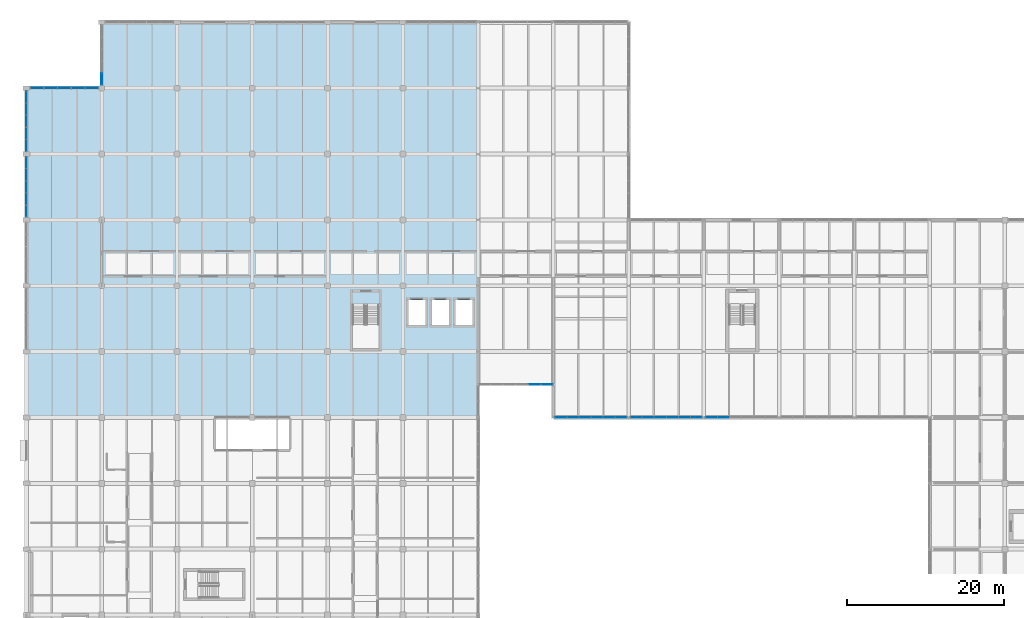
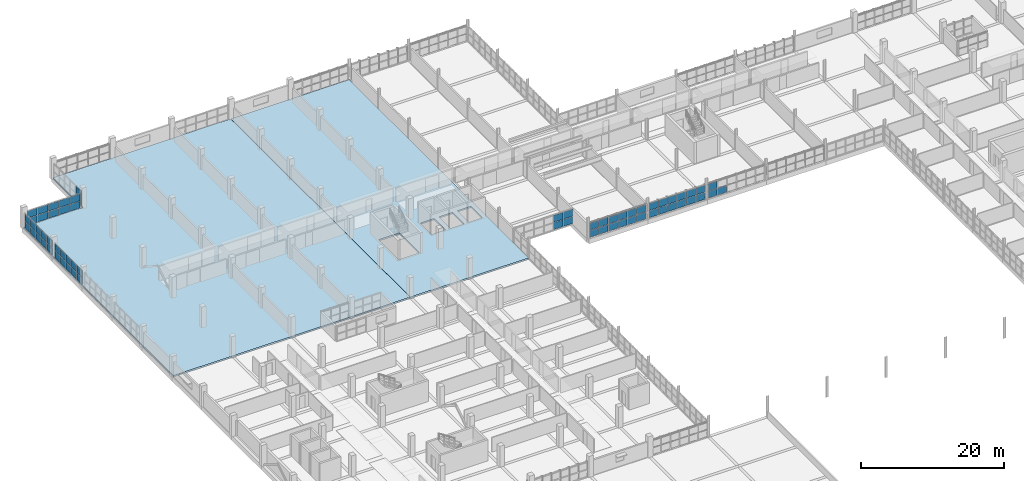
# One storey, part 95 of 147: 63 plates, 2 slabs, 8 elements without a shape of their own.
"""IFC4 building model written with IfcOpenShell, lengths in metres."""

from ifc_helpers import new_model, si_unit, direction, frame, origin, origin_2d, place, context, subcontext, project, spatial, polyline, rectangle, outline, extrude, material, layer, layer_set, type_object, element, aggregate, save


model = new_model("IFC4")

# Units and contexts
model_context = context("Model", 3, precision=1e-05, world=origin(), true_north=direction((0.0, 1.0)))
body_context = subcontext(model_context, "Body", "Model", "MODEL_VIEW")
ifc_project = project(units=[si_unit("LENGTHUNIT", "METRE"), si_unit("AREAUNIT", "SQUARE_METRE"), si_unit("VOLUMEUNIT", "CUBIC_METRE"), si_unit("PLANEANGLEUNIT", "RADIAN"), si_unit("MASSUNIT", "GRAM", prefix="KILO")], contexts=[model_context])

# Site, building, storey
site_placement = place(None, origin())
site = spatial("IfcSite", under=ifc_project, at=site_placement, CompositionType="ELEMENT")
building_placement = place(site_placement, origin())
building = spatial("IfcBuilding", under=site, at=building_placement, Name="Oolite Switchyard Hospital", CompositionType="ELEMENT")
storey_placement = place(building_placement, frame((0.0, 0.0, 9.89990234375)))
storey = spatial("IfcBuildingStorey", under=building, at=storey_placement, Name="L02", CompositionType="ELEMENT", Elevation=9.89990234375)

# Curtain wall, plates
ifc_material_1 = material(Name="Thermally broken aluminum frame with laminated impact glazing", Category="aluminium")
curtain_wall_type_1 = type_object("IfcCurtainWallType", Name="CW-UNIT-96X36", PredefinedType="USERDEFINED", material=ifc_material_1)
curtain_wall_1_placement = place(storey_placement, origin())
curtain_wall_1 = element("IfcCurtainWall", 1, at=curtain_wall_1_placement, inside=storey, type_object=curtain_wall_type_1, Name="L02 Unitised Curtain Wall 253", ObjectType="UNITISED", PredefinedType="USERDEFINED")
ifc_material_2 = material(Name="Insulated fluoropolymer-coated aluminum spandrel panel", Category="aluminium")
ifc_layer_1 = layer(ifc_material_2, 0.054931640625)
ifc_layer_set_1 = layer_set([ifc_layer_1], Name="CW-PNL-SPN55")
plate_type_1 = type_object("IfcPlateType", Name="CW-PNL-SPN55", PredefinedType="CURTAIN_PANEL", material=ifc_layer_set_1)
plate_1_placement = place(storey_placement, frame((85.424072265625, 84.0, 0.0751953125), z_axis=(0.0, 0.0, 1.0), x_axis=(-1.0, 0.0, 0.0)))
plate_1 = element("IfcPlate", 2, at=plate_1_placement, type_object=plate_type_1, Name="CW-03 panel 1.1", PredefinedType="CURTAIN_PANEL", context=body_context, shape_type="SweptSolid", body=[
    extrude(rectangle(XDim=1.445556640625, YDim=0.054931640625, at=origin_2d()), origin(), (0.0, 0.0, 1.0), 1.172607421875),
])
plate_2_placement = place(storey_placement, frame((85.424072265625, 84.0, 1.32275390625), z_axis=(0.0, 0.0, 1.0), x_axis=(-1.0, 0.0, 0.0)))
plate_2 = element("IfcPlate", 3, at=plate_2_placement, type_object=plate_type_1, Name="CW-03 panel 1.2", PredefinedType="CURTAIN_PANEL", context=body_context, shape_type="SweptSolid", body=[
    extrude(rectangle(XDim=1.445556640625, YDim=0.054931640625, at=origin_2d()), origin(), (0.0, 0.0, 1.0), 1.172607421875),
])
plate_3_placement = place(storey_placement, frame((83.903564453125, 84.0, 0.0751953125), z_axis=(0.0, 0.0, 1.0), x_axis=(-1.0, 0.0, 0.0)))
plate_3 = element("IfcPlate", 4, at=plate_3_placement, type_object=plate_type_1, Name="CW-03 panel 2.1", PredefinedType="CURTAIN_PANEL", context=body_context, shape_type="SweptSolid", body=[
    extrude(rectangle(XDim=1.4755859375, YDim=0.054931640625, at=origin_2d()), origin(), (0.0, 0.0, 1.0), 1.172607421875),
])
plate_4_placement = place(storey_placement, frame((83.903564453125, 84.0, 1.32275390625), z_axis=(0.0, 0.0, 1.0), x_axis=(-1.0, 0.0, 0.0)))
plate_4 = element("IfcPlate", 5, at=plate_4_placement, type_object=plate_type_1, Name="CW-03 panel 2.2", PredefinedType="CURTAIN_PANEL", context=body_context, shape_type="SweptSolid", body=[
    extrude(rectangle(XDim=1.4755859375, YDim=0.054931640625, at=origin_2d()), origin(), (0.0, 0.0, 1.0), 1.172607421875),
])
plate_5_placement = place(storey_placement, frame((82.367919921875, 84.0, 0.0751953125), z_axis=(0.0, 0.0, 1.0), x_axis=(-1.0, 0.0, 0.0)))
plate_5 = element("IfcPlate", 6, at=plate_5_placement, type_object=plate_type_1, Name="CW-03 panel 3.1", PredefinedType="CURTAIN_PANEL", context=body_context, shape_type="SweptSolid", body=[
    extrude(rectangle(XDim=1.4755859375, YDim=0.054931640625, at=origin_2d()), origin(), (0.0, 0.0, 1.0), 1.172607421875),
])
plate_6_placement = place(storey_placement, frame((82.367919921875, 84.0, 1.32275390625), z_axis=(0.0, 0.0, 1.0), x_axis=(-1.0, 0.0, 0.0)))
plate_6 = element("IfcPlate", 7, at=plate_6_placement, type_object=plate_type_1, Name="CW-03 panel 3.2", PredefinedType="CURTAIN_PANEL", context=body_context, shape_type="SweptSolid", body=[
    extrude(rectangle(XDim=1.4755859375, YDim=0.054931640625, at=origin_2d()), origin(), (0.0, 0.0, 1.0), 1.172607421875),
])
plate_7_placement = place(storey_placement, frame((80.832275390625, 84.0, 0.0751953125), z_axis=(0.0, 0.0, 1.0), x_axis=(-1.0, 0.0, 0.0)))
plate_7 = element("IfcPlate", 8, at=plate_7_placement, type_object=plate_type_1, Name="CW-03 panel 4.1", PredefinedType="CURTAIN_PANEL", context=body_context, shape_type="SweptSolid", body=[
    extrude(rectangle(XDim=1.4755859375, YDim=0.054931640625, at=origin_2d()), origin(), (0.0, 0.0, 1.0), 1.172607421875),
])
plate_8_placement = place(storey_placement, frame((80.832275390625, 84.0, 1.32275390625), z_axis=(0.0, 0.0, 1.0), x_axis=(-1.0, 0.0, 0.0)))
plate_8 = element("IfcPlate", 9, at=plate_8_placement, type_object=plate_type_1, Name="CW-03 panel 4.2", PredefinedType="CURTAIN_PANEL", context=body_context, shape_type="SweptSolid", body=[
    extrude(rectangle(XDim=1.4755859375, YDim=0.054931640625, at=origin_2d()), origin(), (0.0, 0.0, 1.0), 1.172607421875),
])
plate_9_placement = place(storey_placement, frame((79.29638671875, 84.0, 0.0751953125), z_axis=(0.0, 0.0, 1.0), x_axis=(-1.0, 0.0, 0.0)))
plate_9 = element("IfcPlate", 10, at=plate_9_placement, type_object=plate_type_1, Name="CW-03 panel 5.1", PredefinedType="CURTAIN_PANEL", context=body_context, shape_type="SweptSolid", body=[
    extrude(rectangle(XDim=1.4755859375, YDim=0.054931640625, at=origin_2d()), origin(), (0.0, 0.0, 1.0), 1.172607421875),
])
plate_10_placement = place(storey_placement, frame((79.29638671875, 84.0, 1.32275390625), z_axis=(0.0, 0.0, 1.0), x_axis=(-1.0, 0.0, 0.0)))
plate_10 = element("IfcPlate", 11, at=plate_10_placement, type_object=plate_type_1, Name="CW-03 panel 5.2", PredefinedType="CURTAIN_PANEL", context=body_context, shape_type="SweptSolid", body=[
    extrude(rectangle(XDim=1.4755859375, YDim=0.054931640625, at=origin_2d()), origin(), (0.0, 0.0, 1.0), 1.172607421875),
])
plate_11_placement = place(storey_placement, frame((77.77587890625, 84.0, 0.0751953125), z_axis=(0.0, 0.0, 1.0), x_axis=(-1.0, 0.0, 0.0)))
plate_11 = element("IfcPlate", 12, at=plate_11_placement, type_object=plate_type_1, Name="CW-03 panel 6.1", PredefinedType="CURTAIN_PANEL", context=body_context, shape_type="SweptSolid", body=[
    extrude(rectangle(XDim=1.445556640625, YDim=0.054931640625, at=origin_2d()), origin(), (0.0, 0.0, 1.0), 1.172607421875),
])
plate_12_placement = place(storey_placement, frame((77.77587890625, 84.0, 1.32275390625), z_axis=(0.0, 0.0, 1.0), x_axis=(-1.0, 0.0, 0.0)))
plate_12 = element("IfcPlate", 13, at=plate_12_placement, type_object=plate_type_1, Name="CW-03 panel 6.2", PredefinedType="CURTAIN_PANEL", context=body_context, shape_type="SweptSolid", body=[
    extrude(rectangle(XDim=1.445556640625, YDim=0.054931640625, at=origin_2d()), origin(), (0.0, 0.0, 1.0), 1.172607421875),
])
aggregate(curtain_wall_1, [plate_1, plate_2, plate_3, plate_4, plate_5, plate_6, plate_7, plate_8, plate_9, plate_10, plate_11, plate_12])

curtain_wall_2_placement = place(storey_placement, origin())
curtain_wall_2 = element("IfcCurtainWall", 14, at=curtain_wall_2_placement, inside=storey, type_object=curtain_wall_type_1, Name="L02 Unitised Curtain Wall 267", ObjectType="UNITISED", PredefinedType="USERDEFINED")
plate_13_placement = place(storey_placement, frame((1.335693359375, 126.0, 0.0751953125), z_axis=(0.0, 0.0, 1.0), x_axis=(1.0, 0.0, 0.0)))
plate_13 = element("IfcPlate", 15, at=plate_13_placement, type_object=plate_type_1, Name="CW-03 panel 1.1", PredefinedType="CURTAIN_PANEL", context=body_context, shape_type="SweptSolid", body=[
    extrude(rectangle(XDim=1.6416015625, YDim=0.054931640625, at=origin_2d()), origin(), (0.0, 0.0, 1.0), 1.172607421875),
])
plate_14_placement = place(storey_placement, frame((1.335693359375, 126.0, 1.32275390625), z_axis=(0.0, 0.0, 1.0), x_axis=(1.0, 0.0, 0.0)))
plate_14 = element("IfcPlate", 16, at=plate_14_placement, type_object=plate_type_1, Name="CW-03 panel 1.2", PredefinedType="CURTAIN_PANEL", context=body_context, shape_type="SweptSolid", body=[
    extrude(rectangle(XDim=1.6416015625, YDim=0.054931640625, at=origin_2d()), origin(), (0.0, 0.0, 1.0), 1.172607421875),
])
plate_15_placement = place(storey_placement, frame((3.071044921875, 126.0, 0.0751953125), z_axis=(0.0, 0.0, 1.0), x_axis=(1.0, 0.0, 0.0)))
plate_15 = element("IfcPlate", 17, at=plate_15_placement, type_object=plate_type_1, Name="CW-03 panel 2.1", PredefinedType="CURTAIN_PANEL", context=body_context, shape_type="SweptSolid", body=[
    extrude(rectangle(XDim=1.678955078125, YDim=0.054931640625, at=origin_2d()), origin(), (0.0, 0.0, 1.0), 1.172607421875),
])
plate_16_placement = place(storey_placement, frame((3.071044921875, 126.0, 1.32275390625), z_axis=(0.0, 0.0, 1.0), x_axis=(1.0, 0.0, 0.0)))
plate_16 = element("IfcPlate", 18, at=plate_16_placement, type_object=plate_type_1, Name="CW-03 panel 2.2", PredefinedType="CURTAIN_PANEL", context=body_context, shape_type="SweptSolid", body=[
    extrude(rectangle(XDim=1.678955078125, YDim=0.054931640625, at=origin_2d()), origin(), (0.0, 0.0, 1.0), 1.172607421875),
])
plate_17_placement = place(storey_placement, frame((4.824951171875, 126.0, 0.0751953125), z_axis=(0.0, 0.0, 1.0), x_axis=(1.0, 0.0, 0.0)))
plate_17 = element("IfcPlate", 19, at=plate_17_placement, type_object=plate_type_1, Name="CW-03 panel 3.1", PredefinedType="CURTAIN_PANEL", context=body_context, shape_type="SweptSolid", body=[
    extrude(rectangle(XDim=1.678955078125, YDim=0.054931640625, at=origin_2d()), origin(), (0.0, 0.0, 1.0), 1.172607421875),
])
plate_18_placement = place(storey_placement, frame((4.824951171875, 126.0, 1.32275390625), z_axis=(0.0, 0.0, 1.0), x_axis=(1.0, 0.0, 0.0)))
plate_18 = element("IfcPlate", 20, at=plate_18_placement, type_object=plate_type_1, Name="CW-03 panel 3.2", PredefinedType="CURTAIN_PANEL", context=body_context, shape_type="SweptSolid", body=[
    extrude(rectangle(XDim=1.678955078125, YDim=0.054931640625, at=origin_2d()), origin(), (0.0, 0.0, 1.0), 1.172607421875),
])
plate_19_placement = place(storey_placement, frame((6.5791015625, 126.0, 0.0751953125), z_axis=(0.0, 0.0, 1.0), x_axis=(1.0, 0.0, 0.0)))
plate_19 = element("IfcPlate", 21, at=plate_19_placement, type_object=plate_type_1, Name="CW-03 panel 4.1", PredefinedType="CURTAIN_PANEL", context=body_context, shape_type="SweptSolid", body=[
    extrude(rectangle(XDim=1.678955078125, YDim=0.054931640625, at=origin_2d()), origin(), (0.0, 0.0, 1.0), 1.172607421875),
])
plate_20_placement = place(storey_placement, frame((6.5791015625, 126.0, 1.32275390625), z_axis=(0.0, 0.0, 1.0), x_axis=(1.0, 0.0, 0.0)))
plate_20 = element("IfcPlate", 22, at=plate_20_placement, type_object=plate_type_1, Name="CW-03 panel 4.2", PredefinedType="CURTAIN_PANEL", context=body_context, shape_type="SweptSolid", body=[
    extrude(rectangle(XDim=1.678955078125, YDim=0.054931640625, at=origin_2d()), origin(), (0.0, 0.0, 1.0), 1.172607421875),
])
plate_21_placement = place(storey_placement, frame((8.314208984375, 126.0, 0.0751953125), z_axis=(0.0, 0.0, 1.0), x_axis=(1.0, 0.0, 0.0)))
plate_21 = element("IfcPlate", 23, at=plate_21_placement, type_object=plate_type_1, Name="CW-03 panel 5.1", PredefinedType="CURTAIN_PANEL", context=body_context, shape_type="SweptSolid", body=[
    extrude(rectangle(XDim=1.6416015625, YDim=0.054931640625, at=origin_2d()), origin(), (0.0, 0.0, 1.0), 1.172607421875),
])
plate_22_placement = place(storey_placement, frame((8.314208984375, 126.0, 1.32275390625), z_axis=(0.0, 0.0, 1.0), x_axis=(1.0, 0.0, 0.0)))
plate_22 = element("IfcPlate", 24, at=plate_22_placement, type_object=plate_type_1, Name="CW-03 panel 5.2", PredefinedType="CURTAIN_PANEL", context=body_context, shape_type="SweptSolid", body=[
    extrude(rectangle(XDim=1.6416015625, YDim=0.054931640625, at=origin_2d()), origin(), (0.0, 0.0, 1.0), 1.172607421875),
])
aggregate(curtain_wall_2, [plate_13, plate_14, plate_15, plate_16, plate_17, plate_18, plate_19, plate_20, plate_21, plate_22])

curtain_wall_3_placement = place(storey_placement, origin())
curtain_wall_3 = element("IfcCurtainWall", 25, at=curtain_wall_3_placement, inside=storey, type_object=curtain_wall_type_1, Name="L02 Unitised Curtain Wall 257", ObjectType="UNITISED", PredefinedType="USERDEFINED")
ifc_layer_2 = layer(ifc_material_2, 0.070068359375)
ifc_layer_set_2 = layer_set([ifc_layer_2], Name="CW-PNL-SPN70")
plate_type_2 = type_object("IfcPlateType", Name="CW-PNL-SPN70", PredefinedType="CURTAIN_PANEL", material=ifc_layer_set_2)
plate_23_placement = place(storey_placement, frame((66.382568359375, 88.199951171875, 0.0751953125), z_axis=(0.0, 0.0, 1.0), x_axis=(-1.0, 0.0, 0.0)))
plate_23 = element("IfcPlate", 26, at=plate_23_placement, type_object=plate_type_2, Name="CW-03 panel 1.1", PredefinedType="CURTAIN_PANEL", context=body_context, shape_type="SweptSolid", body=[
    extrude(rectangle(XDim=1.4951171875, YDim=0.070068359375, at=origin_2d()), origin(), (0.0, 0.0, 1.0), 1.172607421875),
])
plate_24_placement = place(storey_placement, frame((66.382568359375, 88.199951171875, 1.32275390625), z_axis=(0.0, 0.0, 1.0), x_axis=(-1.0, 0.0, 0.0)))
plate_24 = element("IfcPlate", 27, at=plate_24_placement, type_object=plate_type_2, Name="CW-03 panel 1.2", PredefinedType="CURTAIN_PANEL", context=body_context, shape_type="SweptSolid", body=[
    extrude(rectangle(XDim=1.4951171875, YDim=0.070068359375, at=origin_2d()), origin(), (0.0, 0.0, 1.0), 1.172607421875),
])
plate_25_placement = place(storey_placement, frame((64.800048828125, 88.199951171875, 0.0751953125), z_axis=(0.0, 0.0, 1.0), x_axis=(-1.0, 0.0, 0.0)))
plate_25 = element("IfcPlate", 28, at=plate_25_placement, type_object=plate_type_2, Name="CW-03 panel 2.1", PredefinedType="CURTAIN_PANEL", context=body_context, shape_type="SweptSolid", body=[
    extrude(rectangle(XDim=1.530029296875, YDim=0.070068359375, at=origin_2d()), origin(), (0.0, 0.0, 1.0), 1.172607421875),
])
plate_26_placement = place(storey_placement, frame((64.800048828125, 88.199951171875, 1.32275390625), z_axis=(0.0, 0.0, 1.0), x_axis=(-1.0, 0.0, 0.0)))
plate_26 = element("IfcPlate", 29, at=plate_26_placement, type_object=plate_type_2, Name="CW-03 panel 2.2", PredefinedType="CURTAIN_PANEL", context=body_context, shape_type="SweptSolid", body=[
    extrude(rectangle(XDim=1.530029296875, YDim=0.070068359375, at=origin_2d()), origin(), (0.0, 0.0, 1.0), 1.172607421875),
])
aggregate(curtain_wall_3, [plate_23, plate_24, plate_25, plate_26])

curtain_wall_type_2 = type_object("IfcCurtainWallType", Name="CW-UNIT-84X36", PredefinedType="USERDEFINED", material=ifc_material_1)
curtain_wall_4_placement = place(storey_placement, origin())
curtain_wall_4 = element("IfcCurtainWall", 30, at=curtain_wall_4_placement, inside=storey, type_object=curtain_wall_type_2, Name="L02 Unitised Curtain Wall 280", ObjectType="UNITISED", PredefinedType="USERDEFINED")
plate_27_placement = place(storey_placement, frame((9.60009765625, 127.174560546875, 0.06005859375), z_axis=(0.0, 0.0, 1.0), x_axis=(0.0, 1.0, 0.0)))
plate_27 = element("IfcPlate", 31, at=plate_27_placement, type_object=plate_type_2, Name="CW-08 panel 1.1", PredefinedType="CURTAIN_PANEL", context=body_context, shape_type="SweptSolid", body=[
    extrude(rectangle(XDim=1.448974609375, YDim=0.070068359375, at=origin_2d()), origin(), (0.0, 0.0, 1.0), 1.195068359375),
])
plate_28_placement = place(storey_placement, frame((9.60009765625, 127.174560546875, 1.31494140625), z_axis=(0.0, 0.0, 1.0), x_axis=(0.0, 1.0, 0.0)))
plate_28 = element("IfcPlate", 32, at=plate_28_placement, type_object=plate_type_2, Name="CW-08 panel 1.2", PredefinedType="CURTAIN_PANEL", context=body_context, shape_type="SweptSolid", body=[
    extrude(rectangle(XDim=1.448974609375, YDim=0.070068359375, at=origin_2d()), origin(), (0.0, 0.0, 1.0), 1.195068359375),
])
aggregate(curtain_wall_4, [plate_27, plate_28])

curtain_wall_5_placement = place(storey_placement, origin())
curtain_wall_5 = element("IfcCurtainWall", 33, at=curtain_wall_5_placement, inside=storey, type_object=curtain_wall_type_1, Name="L02 Unitised Curtain Wall 254", ObjectType="UNITISED", PredefinedType="USERDEFINED")
ifc_material_3 = material(Name="Laminated hurricane-impact insulated glazing unit", Category="glass")
ifc_layer_3 = layer(ifc_material_3, 0.028076171875)
ifc_layer_set_3 = layer_set([ifc_layer_3], Name="CW-PNL-VIS28")
plate_type_3 = type_object("IfcPlateType", Name="CW-PNL-VIS28", PredefinedType="CURTAIN_PANEL", material=ifc_layer_set_3)
plate_29_placement = place(storey_placement, frame((88.896484375, 84.0, 0.06005859375), z_axis=(0.0, 0.0, 1.0), x_axis=(-1.0, 0.0, 0.0)))
plate_29 = element("IfcPlate", 34, at=plate_29_placement, type_object=plate_type_3, Name="CW-03 panel 5.1", PredefinedType="CURTAIN_PANEL", context=body_context, shape_type="SweptSolid", body=[
    extrude(rectangle(XDim=1.465576171875, YDim=0.028076171875, at=origin_2d()), origin(), (0.0, 0.0, 1.0), 1.195068359375),
])
plate_30_placement = place(storey_placement, frame((87.37841796875, 84.0, 0.06005859375), z_axis=(0.0, 0.0, 1.0), x_axis=(-1.0, 0.0, 0.0)))
plate_30 = element("IfcPlate", 35, at=plate_30_placement, type_object=plate_type_3, Name="CW-03 panel 6.1", PredefinedType="CURTAIN_PANEL", context=body_context, shape_type="SweptSolid", body=[
    extrude(rectangle(XDim=1.4306640625, YDim=0.028076171875, at=origin_2d()), origin(), (0.0, 0.0, 1.0), 1.195068359375),
])
plate_31_placement = place(storey_placement, frame((87.37841796875, 84.0, 1.31494140625), z_axis=(0.0, 0.0, 1.0), x_axis=(-1.0, 0.0, 0.0)))
plate_31 = element("IfcPlate", 36, at=plate_31_placement, type_object=plate_type_3, Name="CW-03 panel 6.2", PredefinedType="CURTAIN_PANEL", context=body_context, shape_type="SweptSolid", body=[
    extrude(rectangle(XDim=1.4306640625, YDim=0.028076171875, at=origin_2d()), origin(), (0.0, 0.0, 1.0), 1.195068359375),
])
aggregate(curtain_wall_5, [plate_29, plate_30, plate_31])

curtain_wall_6_placement = place(storey_placement, origin())
curtain_wall_6 = element("IfcCurtainWall", 37, at=curtain_wall_6_placement, inside=storey, type_object=curtain_wall_type_1, Name="L02 Unitised Curtain Wall 252", ObjectType="UNITISED", PredefinedType="USERDEFINED")
ifc_layer_4 = layer(ifc_material_3, 0.035888671875)
ifc_layer_set_4 = layer_set([ifc_layer_4], Name="CW-PNL-VIS36")
plate_type_4 = type_object("IfcPlateType", Name="CW-PNL-VIS36", PredefinedType="CURTAIN_PANEL", material=ifc_layer_set_4)
plate_32_placement = place(storey_placement, frame((75.8203125, 84.0, 0.06005859375), z_axis=(0.0, 0.0, 1.0), x_axis=(-1.0, 0.0, 0.0)))
plate_32 = element("IfcPlate", 38, at=plate_32_placement, type_object=plate_type_4, Name="CW-03 panel 1.1", PredefinedType="CURTAIN_PANEL", context=body_context, shape_type="SweptSolid", body=[
    extrude(rectangle(XDim=1.423095703125, YDim=0.035888671875, at=origin_2d()), origin(), (0.0, 0.0, 1.0), 1.195068359375),
])
plate_33_placement = place(storey_placement, frame((75.8203125, 84.0, 1.31494140625), z_axis=(0.0, 0.0, 1.0), x_axis=(-1.0, 0.0, 0.0)))
plate_33 = element("IfcPlate", 39, at=plate_33_placement, type_object=plate_type_4, Name="CW-03 panel 1.2", PredefinedType="CURTAIN_PANEL", context=body_context, shape_type="SweptSolid", body=[
    extrude(rectangle(XDim=1.423095703125, YDim=0.035888671875, at=origin_2d()), origin(), (0.0, 0.0, 1.0), 1.195068359375),
])
plate_34_placement = place(storey_placement, frame((74.303466796875, 84.0, 0.06005859375), z_axis=(0.0, 0.0, 1.0), x_axis=(-1.0, 0.0, 0.0)))
plate_34 = element("IfcPlate", 40, at=plate_34_placement, type_object=plate_type_4, Name="CW-03 panel 2.1", PredefinedType="CURTAIN_PANEL", context=body_context, shape_type="SweptSolid", body=[
    extrude(rectangle(XDim=1.460693359375, YDim=0.035888671875, at=origin_2d()), origin(), (0.0, 0.0, 1.0), 1.195068359375),
])
plate_35_placement = place(storey_placement, frame((74.303466796875, 84.0, 1.31494140625), z_axis=(0.0, 0.0, 1.0), x_axis=(-1.0, 0.0, 0.0)))
plate_35 = element("IfcPlate", 41, at=plate_35_placement, type_object=plate_type_4, Name="CW-03 panel 2.2", PredefinedType="CURTAIN_PANEL", context=body_context, shape_type="SweptSolid", body=[
    extrude(rectangle(XDim=1.460693359375, YDim=0.035888671875, at=origin_2d()), origin(), (0.0, 0.0, 1.0), 1.195068359375),
])
plate_36_placement = place(storey_placement, frame((72.767822265625, 84.0, 0.06005859375), z_axis=(0.0, 0.0, 1.0), x_axis=(-1.0, 0.0, 0.0)))
plate_36 = element("IfcPlate", 42, at=plate_36_placement, type_object=plate_type_4, Name="CW-03 panel 3.1", PredefinedType="CURTAIN_PANEL", context=body_context, shape_type="SweptSolid", body=[
    extrude(rectangle(XDim=1.460693359375, YDim=0.035888671875, at=origin_2d()), origin(), (0.0, 0.0, 1.0), 1.195068359375),
])
plate_37_placement = place(storey_placement, frame((72.767822265625, 84.0, 1.31494140625), z_axis=(0.0, 0.0, 1.0), x_axis=(-1.0, 0.0, 0.0)))
plate_37 = element("IfcPlate", 43, at=plate_37_placement, type_object=plate_type_4, Name="CW-03 panel 3.2", PredefinedType="CURTAIN_PANEL", context=body_context, shape_type="SweptSolid", body=[
    extrude(rectangle(XDim=1.460693359375, YDim=0.035888671875, at=origin_2d()), origin(), (0.0, 0.0, 1.0), 1.195068359375),
])
plate_38_placement = place(storey_placement, frame((71.232177734375, 84.0, 0.06005859375), z_axis=(0.0, 0.0, 1.0), x_axis=(-1.0, 0.0, 0.0)))
plate_38 = element("IfcPlate", 44, at=plate_38_placement, type_object=plate_type_4, Name="CW-03 panel 4.1", PredefinedType="CURTAIN_PANEL", context=body_context, shape_type="SweptSolid", body=[
    extrude(rectangle(XDim=1.460693359375, YDim=0.035888671875, at=origin_2d()), origin(), (0.0, 0.0, 1.0), 1.195068359375),
])
plate_39_placement = place(storey_placement, frame((71.232177734375, 84.0, 1.31494140625), z_axis=(0.0, 0.0, 1.0), x_axis=(-1.0, 0.0, 0.0)))
plate_39 = element("IfcPlate", 45, at=plate_39_placement, type_object=plate_type_4, Name="CW-03 panel 4.2", PredefinedType="CURTAIN_PANEL", context=body_context, shape_type="SweptSolid", body=[
    extrude(rectangle(XDim=1.460693359375, YDim=0.035888671875, at=origin_2d()), origin(), (0.0, 0.0, 1.0), 1.195068359375),
])
plate_40_placement = place(storey_placement, frame((69.696533203125, 84.0, 0.06005859375), z_axis=(0.0, 0.0, 1.0), x_axis=(-1.0, 0.0, 0.0)))
plate_40 = element("IfcPlate", 46, at=plate_40_placement, type_object=plate_type_4, Name="CW-03 panel 5.1", PredefinedType="CURTAIN_PANEL", context=body_context, shape_type="SweptSolid", body=[
    extrude(rectangle(XDim=1.460693359375, YDim=0.035888671875, at=origin_2d()), origin(), (0.0, 0.0, 1.0), 1.195068359375),
])
plate_41_placement = place(storey_placement, frame((69.696533203125, 84.0, 1.31494140625), z_axis=(0.0, 0.0, 1.0), x_axis=(-1.0, 0.0, 0.0)))
plate_41 = element("IfcPlate", 47, at=plate_41_placement, type_object=plate_type_4, Name="CW-03 panel 5.2", PredefinedType="CURTAIN_PANEL", context=body_context, shape_type="SweptSolid", body=[
    extrude(rectangle(XDim=1.460693359375, YDim=0.035888671875, at=origin_2d()), origin(), (0.0, 0.0, 1.0), 1.195068359375),
])
plate_42_placement = place(storey_placement, frame((68.1796875, 84.0, 0.06005859375), z_axis=(0.0, 0.0, 1.0), x_axis=(-1.0, 0.0, 0.0)))
plate_42 = element("IfcPlate", 48, at=plate_42_placement, type_object=plate_type_4, Name="CW-03 panel 6.1", PredefinedType="CURTAIN_PANEL", context=body_context, shape_type="SweptSolid", body=[
    extrude(rectangle(XDim=1.423095703125, YDim=0.035888671875, at=origin_2d()), origin(), (0.0, 0.0, 1.0), 1.195068359375),
])
plate_43_placement = place(storey_placement, frame((68.1796875, 84.0, 1.31494140625), z_axis=(0.0, 0.0, 1.0), x_axis=(-1.0, 0.0, 0.0)))
plate_43 = element("IfcPlate", 49, at=plate_43_placement, type_object=plate_type_4, Name="CW-03 panel 6.2", PredefinedType="CURTAIN_PANEL", context=body_context, shape_type="SweptSolid", body=[
    extrude(rectangle(XDim=1.423095703125, YDim=0.035888671875, at=origin_2d()), origin(), (0.0, 0.0, 1.0), 1.195068359375),
])
aggregate(curtain_wall_6, [plate_32, plate_33, plate_34, plate_35, plate_36, plate_37, plate_38, plate_39, plate_40, plate_41, plate_42, plate_43])

curtain_wall_7_placement = place(storey_placement, origin())
curtain_wall_7 = element("IfcCurtainWall", 50, at=curtain_wall_7_placement, inside=storey, type_object=curtain_wall_type_2, Name="L02 Unitised Curtain Wall 278", ObjectType="UNITISED", PredefinedType="USERDEFINED")
plate_44_placement = place(storey_placement, frame((0.0, 110.3095703125, 0.06005859375), z_axis=(0.0, 0.0, 1.0), x_axis=(0.0, 1.0, 0.0)))
plate_44 = element("IfcPlate", 51, at=plate_44_placement, type_object=plate_type_4, Name="CW-08 panel 1.1", PredefinedType="CURTAIN_PANEL", context=body_context, shape_type="SweptSolid", body=[
    extrude(rectangle(XDim=1.448974609375, YDim=0.035888671875, at=origin_2d()), origin(), (0.0, 0.0, 1.0), 1.195068359375),
])
plate_45_placement = place(storey_placement, frame((0.0, 110.3095703125, 1.31494140625), z_axis=(0.0, 0.0, 1.0), x_axis=(0.0, 1.0, 0.0)))
plate_45 = element("IfcPlate", 52, at=plate_45_placement, type_object=plate_type_4, Name="CW-08 panel 1.2", PredefinedType="CURTAIN_PANEL", context=body_context, shape_type="SweptSolid", body=[
    extrude(rectangle(XDim=1.448974609375, YDim=0.035888671875, at=origin_2d()), origin(), (0.0, 0.0, 1.0), 1.195068359375),
])
plate_46_placement = place(storey_placement, frame((0.0, 111.845947265625, 0.06005859375), z_axis=(0.0, 0.0, 1.0), x_axis=(0.0, 1.0, 0.0)))
plate_46 = element("IfcPlate", 53, at=plate_46_placement, type_object=plate_type_4, Name="CW-08 panel 2.1", PredefinedType="CURTAIN_PANEL", context=body_context, shape_type="SweptSolid", body=[
    extrude(rectangle(XDim=1.48388671875, YDim=0.035888671875, at=origin_2d()), origin(), (0.0, 0.0, 1.0), 1.195068359375),
])
plate_47_placement = place(storey_placement, frame((0.0, 111.845947265625, 1.31494140625), z_axis=(0.0, 0.0, 1.0), x_axis=(0.0, 1.0, 0.0)))
plate_47 = element("IfcPlate", 54, at=plate_47_placement, type_object=plate_type_4, Name="CW-08 panel 2.2", PredefinedType="CURTAIN_PANEL", context=body_context, shape_type="SweptSolid", body=[
    extrude(rectangle(XDim=1.48388671875, YDim=0.035888671875, at=origin_2d()), origin(), (0.0, 0.0, 1.0), 1.195068359375),
])
plate_48_placement = place(storey_placement, frame((0.0, 113.39990234375, 0.06005859375), z_axis=(0.0, 0.0, 1.0), x_axis=(0.0, 1.0, 0.0)))
plate_48 = element("IfcPlate", 55, at=plate_48_placement, type_object=plate_type_4, Name="CW-08 panel 3.1", PredefinedType="CURTAIN_PANEL", context=body_context, shape_type="SweptSolid", body=[
    extrude(rectangle(XDim=1.48388671875, YDim=0.035888671875, at=origin_2d()), origin(), (0.0, 0.0, 1.0), 1.195068359375),
])
plate_49_placement = place(storey_placement, frame((0.0, 113.39990234375, 1.31494140625), z_axis=(0.0, 0.0, 1.0), x_axis=(0.0, 1.0, 0.0)))
plate_49 = element("IfcPlate", 56, at=plate_49_placement, type_object=plate_type_4, Name="CW-08 panel 3.2", PredefinedType="CURTAIN_PANEL", context=body_context, shape_type="SweptSolid", body=[
    extrude(rectangle(XDim=1.48388671875, YDim=0.035888671875, at=origin_2d()), origin(), (0.0, 0.0, 1.0), 1.195068359375),
])
plate_50_placement = place(storey_placement, frame((0.0, 114.9541015625, 0.06005859375), z_axis=(0.0, 0.0, 1.0), x_axis=(0.0, 1.0, 0.0)))
plate_50 = element("IfcPlate", 57, at=plate_50_placement, type_object=plate_type_4, Name="CW-08 panel 4.1", PredefinedType="CURTAIN_PANEL", context=body_context, shape_type="SweptSolid", body=[
    extrude(rectangle(XDim=1.48388671875, YDim=0.035888671875, at=origin_2d()), origin(), (0.0, 0.0, 1.0), 1.195068359375),
])
plate_51_placement = place(storey_placement, frame((0.0, 114.9541015625, 1.31494140625), z_axis=(0.0, 0.0, 1.0), x_axis=(0.0, 1.0, 0.0)))
plate_51 = element("IfcPlate", 58, at=plate_51_placement, type_object=plate_type_4, Name="CW-08 panel 4.2", PredefinedType="CURTAIN_PANEL", context=body_context, shape_type="SweptSolid", body=[
    extrude(rectangle(XDim=1.48388671875, YDim=0.035888671875, at=origin_2d()), origin(), (0.0, 0.0, 1.0), 1.195068359375),
])
plate_52_placement = place(storey_placement, frame((0.0, 116.490478515625, 0.06005859375), z_axis=(0.0, 0.0, 1.0), x_axis=(0.0, 1.0, 0.0)))
plate_52 = element("IfcPlate", 59, at=plate_52_placement, type_object=plate_type_4, Name="CW-08 panel 5.1", PredefinedType="CURTAIN_PANEL", context=body_context, shape_type="SweptSolid", body=[
    extrude(rectangle(XDim=1.448974609375, YDim=0.035888671875, at=origin_2d()), origin(), (0.0, 0.0, 1.0), 1.195068359375),
])
plate_53_placement = place(storey_placement, frame((0.0, 116.490478515625, 1.31494140625), z_axis=(0.0, 0.0, 1.0), x_axis=(0.0, 1.0, 0.0)))
plate_53 = element("IfcPlate", 60, at=plate_53_placement, type_object=plate_type_4, Name="CW-08 panel 5.2", PredefinedType="CURTAIN_PANEL", context=body_context, shape_type="SweptSolid", body=[
    extrude(rectangle(XDim=1.448974609375, YDim=0.035888671875, at=origin_2d()), origin(), (0.0, 0.0, 1.0), 1.195068359375),
])
aggregate(curtain_wall_7, [plate_44, plate_45, plate_46, plate_47, plate_48, plate_49, plate_50, plate_51, plate_52, plate_53])

curtain_wall_8_placement = place(storey_placement, origin())
curtain_wall_8 = element("IfcCurtainWall", 61, at=curtain_wall_8_placement, inside=storey, type_object=curtain_wall_type_2, Name="L02 Unitised Curtain Wall 279", ObjectType="UNITISED", PredefinedType="USERDEFINED")
ifc_layer_5 = layer(ifc_material_3, 0.0419921875)
ifc_layer_set_5 = layer_set([ifc_layer_5], Name="CW-PNL-VIS42")
plate_type_5 = type_object("IfcPlateType", Name="CW-PNL-VIS42", PredefinedType="CURTAIN_PANEL", material=ifc_layer_set_5)
plate_54_placement = place(storey_placement, frame((0.0, 118.710693359375, 0.0751953125), z_axis=(0.0, 0.0, 1.0), x_axis=(0.0, 1.0, 0.0)))
plate_54 = element("IfcPlate", 62, at=plate_54_placement, type_object=plate_type_5, Name="CW-08 panel 1.1", PredefinedType="CURTAIN_PANEL", context=body_context, shape_type="SweptSolid", body=[
    extrude(rectangle(XDim=1.44140625, YDim=0.0419921875, at=origin_2d()), origin(), (0.0, 0.0, 1.0), 1.172607421875),
])
plate_55_placement = place(storey_placement, frame((0.0, 118.710693359375, 1.32275390625), z_axis=(0.0, 0.0, 1.0), x_axis=(0.0, 1.0, 0.0)))
plate_55 = element("IfcPlate", 63, at=plate_55_placement, type_object=plate_type_5, Name="CW-08 panel 1.2", PredefinedType="CURTAIN_PANEL", context=body_context, shape_type="SweptSolid", body=[
    extrude(rectangle(XDim=1.44140625, YDim=0.0419921875, at=origin_2d()), origin(), (0.0, 0.0, 1.0), 1.172607421875),
])
plate_56_placement = place(storey_placement, frame((0.0, 120.24609375, 0.0751953125), z_axis=(0.0, 0.0, 1.0), x_axis=(0.0, 1.0, 0.0)))
plate_56 = element("IfcPlate", 64, at=plate_56_placement, type_object=plate_type_5, Name="CW-08 panel 2.1", PredefinedType="CURTAIN_PANEL", context=body_context, shape_type="SweptSolid", body=[
    extrude(rectangle(XDim=1.47900390625, YDim=0.0419921875, at=origin_2d()), origin(), (0.0, 0.0, 1.0), 1.172607421875),
])
plate_57_placement = place(storey_placement, frame((0.0, 120.24609375, 1.32275390625), z_axis=(0.0, 0.0, 1.0), x_axis=(0.0, 1.0, 0.0)))
plate_57 = element("IfcPlate", 65, at=plate_57_placement, type_object=plate_type_5, Name="CW-08 panel 2.2", PredefinedType="CURTAIN_PANEL", context=body_context, shape_type="SweptSolid", body=[
    extrude(rectangle(XDim=1.47900390625, YDim=0.0419921875, at=origin_2d()), origin(), (0.0, 0.0, 1.0), 1.172607421875),
])
plate_58_placement = place(storey_placement, frame((0.0, 121.800048828125, 0.0751953125), z_axis=(0.0, 0.0, 1.0), x_axis=(0.0, 1.0, 0.0)))
plate_58 = element("IfcPlate", 66, at=plate_58_placement, type_object=plate_type_5, Name="CW-08 panel 3.1", PredefinedType="CURTAIN_PANEL", context=body_context, shape_type="SweptSolid", body=[
    extrude(rectangle(XDim=1.47900390625, YDim=0.0419921875, at=origin_2d()), origin(), (0.0, 0.0, 1.0), 1.172607421875),
])
plate_59_placement = place(storey_placement, frame((0.0, 121.800048828125, 1.32275390625), z_axis=(0.0, 0.0, 1.0), x_axis=(0.0, 1.0, 0.0)))
plate_59 = element("IfcPlate", 67, at=plate_59_placement, type_object=plate_type_5, Name="CW-08 panel 3.2", PredefinedType="CURTAIN_PANEL", context=body_context, shape_type="SweptSolid", body=[
    extrude(rectangle(XDim=1.47900390625, YDim=0.0419921875, at=origin_2d()), origin(), (0.0, 0.0, 1.0), 1.172607421875),
])
plate_60_placement = place(storey_placement, frame((0.0, 123.35400390625, 0.0751953125), z_axis=(0.0, 0.0, 1.0), x_axis=(0.0, 1.0, 0.0)))
plate_60 = element("IfcPlate", 68, at=plate_60_placement, type_object=plate_type_5, Name="CW-08 panel 4.1", PredefinedType="CURTAIN_PANEL", context=body_context, shape_type="SweptSolid", body=[
    extrude(rectangle(XDim=1.47900390625, YDim=0.0419921875, at=origin_2d()), origin(), (0.0, 0.0, 1.0), 1.172607421875),
])
plate_61_placement = place(storey_placement, frame((0.0, 123.35400390625, 1.32275390625), z_axis=(0.0, 0.0, 1.0), x_axis=(0.0, 1.0, 0.0)))
plate_61 = element("IfcPlate", 69, at=plate_61_placement, type_object=plate_type_5, Name="CW-08 panel 4.2", PredefinedType="CURTAIN_PANEL", context=body_context, shape_type="SweptSolid", body=[
    extrude(rectangle(XDim=1.47900390625, YDim=0.0419921875, at=origin_2d()), origin(), (0.0, 0.0, 1.0), 1.172607421875),
])
plate_62_placement = place(storey_placement, frame((0.0, 124.88916015625, 0.0751953125), z_axis=(0.0, 0.0, 1.0), x_axis=(0.0, 1.0, 0.0)))
plate_62 = element("IfcPlate", 70, at=plate_62_placement, type_object=plate_type_5, Name="CW-08 panel 5.1", PredefinedType="CURTAIN_PANEL", context=body_context, shape_type="SweptSolid", body=[
    extrude(rectangle(XDim=1.44140625, YDim=0.0419921875, at=origin_2d()), origin(), (0.0, 0.0, 1.0), 1.172607421875),
])
plate_63_placement = place(storey_placement, frame((0.0, 124.88916015625, 1.32275390625), z_axis=(0.0, 0.0, 1.0), x_axis=(0.0, 1.0, 0.0)))
plate_63 = element("IfcPlate", 71, at=plate_63_placement, type_object=plate_type_5, Name="CW-08 panel 5.2", PredefinedType="CURTAIN_PANEL", context=body_context, shape_type="SweptSolid", body=[
    extrude(rectangle(XDim=1.44140625, YDim=0.0419921875, at=origin_2d()), origin(), (0.0, 0.0, 1.0), 1.172607421875),
])
aggregate(curtain_wall_8, [plate_54, plate_55, plate_56, plate_57, plate_58, plate_59, plate_60, plate_61, plate_62, plate_63])

# Slabs
ifc_material_4 = material(Name="Concrete C40/50", Category="concrete")
ifc_layer_6 = layer(ifc_material_4, 0.260009765625)
ifc_layer_set_6 = layer_set([ifc_layer_6], Name="SLB-INT-260")
slab_type = type_object("IfcSlabType", Name="SLB-INT-260", PredefinedType="FLOOR", material=ifc_layer_set_6)
slab_1_placement = place(storey_placement, frame((0.0, 0.0, -0.260009765625)))
element("IfcSlab", 72, at=slab_1_placement, inside=storey, type_object=slab_type, Name="L02 V3 Slab V3A", PredefinedType="FLOOR", context=body_context, shape_type="SweptSolid", body=[
    extrude(outline(polyline([(0.0, 84.0), (38.39990234375, 84.0), (38.39990234375, 134.39990234375), (9.60009765625, 134.39990234375), (9.60009765625, 126.0), (0.0, 126.0), (0.0, 84.0)])), origin(), (0.0, 0.0, 1.0), 0.260009765625),
])
slab_2_placement = place(storey_placement, frame((0.0, 0.0, -0.260009765625)))
element("IfcSlab", 73, at=slab_2_placement, inside=storey, type_object=slab_type, Name="L02 V3 Slab V3B", PredefinedType="FLOOR", context=body_context, shape_type="SweptSolid", body=[
    extrude(outline(polyline([(38.39990234375, 84.0), (57.60009765625, 84.0), (57.60009765625, 134.39990234375), (38.39990234375, 134.39990234375), (38.39990234375, 84.0)]), holes=[polyline([(41.60009765625, 98.389892578125), (41.60009765625, 92.800048828125), (44.9599609375, 92.800048828125), (44.9599609375, 98.389892578125), (41.60009765625, 98.389892578125)]), polyline([(48.699951171875, 95.800048828125), (50.89990234375, 95.800048828125), (50.89990234375, 99.0), (48.699951171875, 99.0), (48.699951171875, 95.800048828125)]), polyline([(51.699951171875, 95.800048828125), (53.89990234375, 95.800048828125), (53.89990234375, 99.0), (51.699951171875, 99.0), (51.699951171875, 95.800048828125)]), polyline([(54.699951171875, 95.800048828125), (56.89990234375, 95.800048828125), (56.89990234375, 99.0), (54.699951171875, 99.0), (54.699951171875, 95.800048828125)])]), origin(), (0.0, 0.0, 1.0), 0.260009765625),
])

save(model, "model.ifc")
